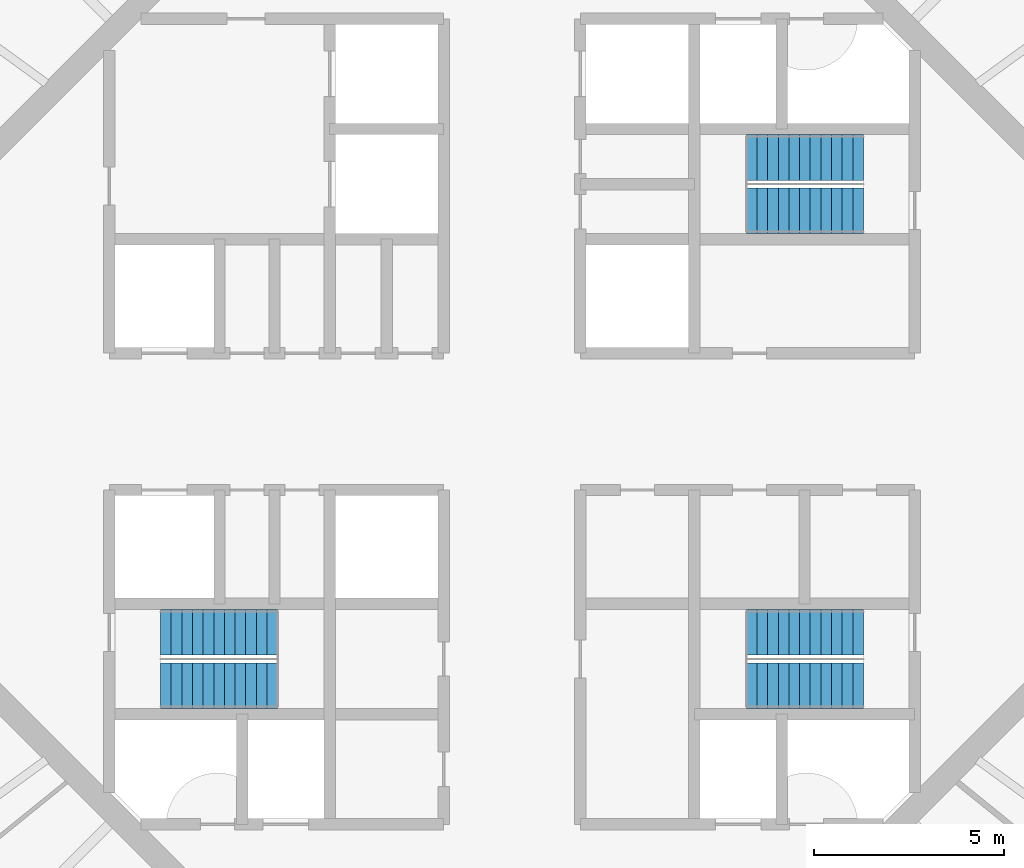
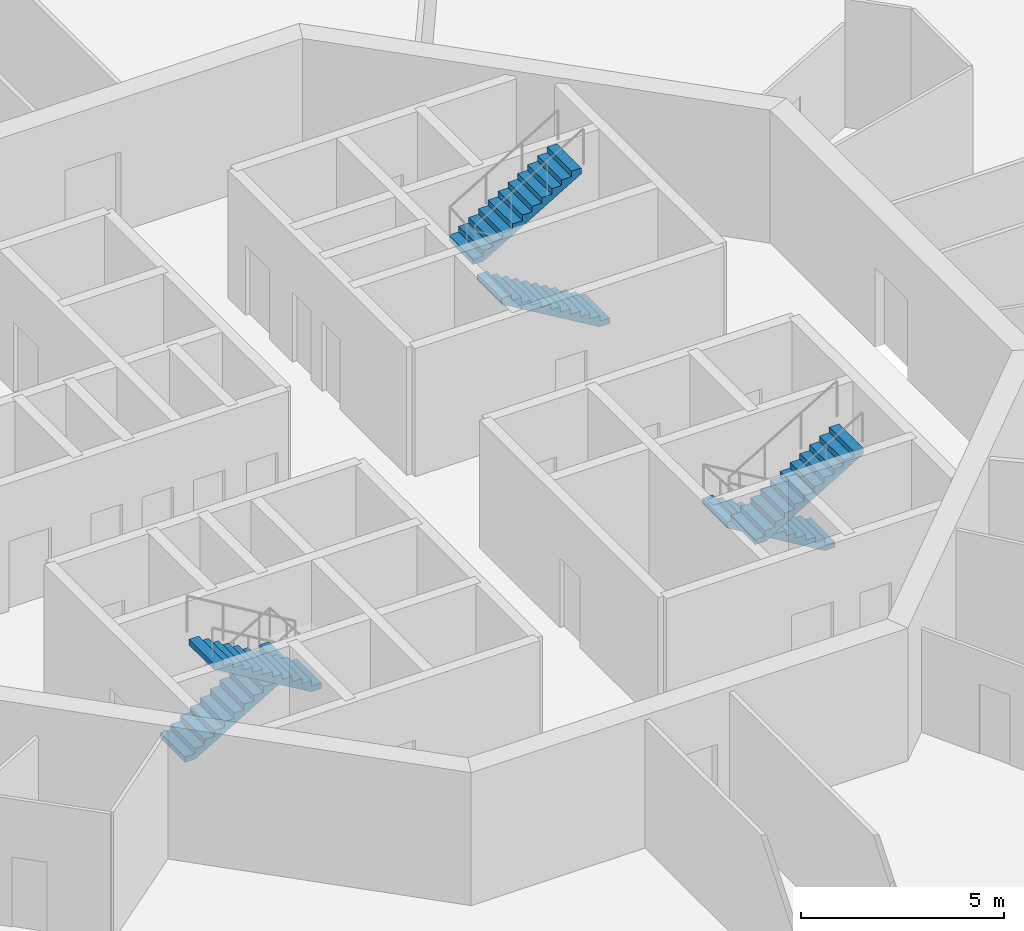
# One storey, part 6 of 13: 6 stair flights, 3 elements without a shape of their own.
"""IFC4 building model written with IfcOpenShell, lengths in metres."""

from ifc_helpers import new_model, si_unit, direction, frame, origin, place, context, subcontext, project, spatial, polyline, outline, extrude, material, type_object, element, aggregate, save


model = new_model("IFC4")

# Units and contexts
model_context = context("Model", 3, precision=1e-05, world=origin(), true_north=direction((0.0, 1.0)))
body_context = subcontext(model_context, "Body", "Model", "MODEL_VIEW")
ifc_project = project(units=[si_unit("LENGTHUNIT", "METRE"), si_unit("AREAUNIT", "SQUARE_METRE"), si_unit("VOLUMEUNIT", "CUBIC_METRE"), si_unit("PLANEANGLEUNIT", "RADIAN"), si_unit("MASSUNIT", "GRAM", prefix="KILO")], contexts=[model_context])

# Site, building, storey
site_placement = place(None, origin())
site = spatial("IfcSite", under=ifc_project, at=site_placement, CompositionType="ELEMENT")
building_placement = place(site_placement, origin())
building = spatial("IfcBuilding", under=site, at=building_placement, Name="Entoto Ring Tower", CompositionType="ELEMENT")
storey_placement = place(building_placement, frame((0.0, 0.0, 348.0)))
storey = spatial("IfcBuildingStorey", under=building, at=storey_placement, Name="L80", CompositionType="ELEMENT", Elevation=348.0)

# Stair, stair flights
ifc_material_1 = material(Name="Concrete C40/50", Category="concrete")
stair_type = type_object("IfcStairType", Name="Exit stair 1200 mm dog-leg reinforced concrete", PredefinedType="HALF_TURN_STAIR", material=ifc_material_1)
stair_1_placement = place(storey_placement, origin())
stair_1 = element("IfcStair", 1, at=stair_1_placement, inside=storey, type_object=stair_type, Name="Exit stair 1", PredefinedType="HALF_TURN_STAIR")
ifc_material_2 = material(Name="Concrete C40/50", Category="concrete")
stair_flight_type = type_object("IfcStairFlightType", Name="Stair flight 1200 mm reinforced concrete", PredefinedType="STRAIGHT", material=ifc_material_2)
stair_flight_1_placement = place(storey_placement, frame((99.25, 85.550048828125, 0.0), z_axis=(0.0, 0.0, 1.0), x_axis=(-1.0, 0.0, 0.0)))
stair_flight_1 = element("IfcStairFlight", 2, at=stair_flight_1_placement, type_object=stair_flight_type, Name="ST1 flight 1", NumberOfRisers=12, NumberOfTreads=11, PredefinedType="STRAIGHT", RiserHeight=0.166666667, TreadLength=0.28, context=body_context, shape_type="SweptSolid", body=[
    extrude(outline(polyline([(0.0, 0.0), (0.0, 0.166748046875), (0.280029296875, 0.166748046875), (0.280029296875, 0.333251953125), (0.56005859375, 0.333251953125), (0.56005859375, 0.5), (0.840087890625, 0.5), (0.840087890625, 0.666748046875), (1.1201171875, 0.666748046875), (1.1201171875, 0.833251953125), (1.39990234375, 0.833251953125), (1.39990234375, 1.0), (1.679931640625, 1.0), (1.679931640625, 1.166748046875), (1.9599609375, 1.166748046875), (1.9599609375, 1.333251953125), (2.239990234375, 1.333251953125), (2.239990234375, 1.5), (2.52001953125, 1.5), (2.52001953125, 1.666748046875), (2.800048828125, 1.666748046875), (2.800048828125, 1.833251953125), (3.080078125, 1.833251953125), (3.080078125, 2.0), (3.080078125, 1.658935546875), (0.29296875, 0.0), (0.0, 0.0)])), frame((0.0, 0.60009765625, 0.0), z_axis=(0.0, -1.0, 0.0), x_axis=(1.0, 0.0, 0.0)), (0.0, 0.0, 1.0), 1.199951171875),
])
stair_flight_2_placement = place(storey_placement, frame((96.169921875, 86.949951171875, 2.0), z_axis=(0.0, 0.0, 1.0), x_axis=(1.0, 0.0, 0.0)))
stair_flight_2 = element("IfcStairFlight", 3, at=stair_flight_2_placement, type_object=stair_flight_type, Name="ST1 flight 2", NumberOfRisers=12, NumberOfTreads=11, PredefinedType="STRAIGHT", RiserHeight=0.166666667, TreadLength=0.28, context=body_context, shape_type="SweptSolid", body=[
    extrude(outline(polyline([(0.0, 0.0), (0.0, 0.166748046875), (0.280029296875, 0.166748046875), (0.280029296875, 0.333251953125), (0.56005859375, 0.333251953125), (0.56005859375, 0.5), (0.840087890625, 0.5), (0.840087890625, 0.666748046875), (1.1201171875, 0.666748046875), (1.1201171875, 0.833251953125), (1.39990234375, 0.833251953125), (1.39990234375, 1.0), (1.679931640625, 1.0), (1.679931640625, 1.166748046875), (1.9599609375, 1.166748046875), (1.9599609375, 1.333251953125), (2.239990234375, 1.333251953125), (2.239990234375, 1.5), (2.52001953125, 1.5), (2.52001953125, 1.666748046875), (2.800048828125, 1.666748046875), (2.800048828125, 1.833251953125), (3.080078125, 1.833251953125), (3.080078125, 2.0), (3.080078125, 1.658935546875), (0.29296875, 0.0), (0.0, 0.0)])), frame((0.0, 0.60009765625, 0.0), z_axis=(0.0, -1.0, 0.0), x_axis=(1.0, 0.0, 0.0)), (0.0, 0.0, 1.0), 1.199951171875),
])
aggregate(stair_1, [stair_flight_1, stair_flight_2])

stair_2_placement = place(storey_placement, origin())
stair_2 = element("IfcStair", 4, at=stair_2_placement, inside=storey, type_object=stair_type, Name="Exit stair 2", PredefinedType="HALF_TURN_STAIR")
stair_flight_3_placement = place(storey_placement, frame((80.75, 74.449951171875, 0.0), z_axis=(0.0, 0.0, 1.0), x_axis=(1.0, 0.0, 0.0)))
stair_flight_3 = element("IfcStairFlight", 5, at=stair_flight_3_placement, type_object=stair_flight_type, Name="ST2 flight 1", NumberOfRisers=12, NumberOfTreads=11, PredefinedType="STRAIGHT", RiserHeight=0.166666667, TreadLength=0.28, context=body_context, shape_type="SweptSolid", body=[
    extrude(outline(polyline([(0.0, 0.0), (0.0, 0.166748046875), (0.280029296875, 0.166748046875), (0.280029296875, 0.333251953125), (0.56005859375, 0.333251953125), (0.56005859375, 0.5), (0.840087890625, 0.5), (0.840087890625, 0.666748046875), (1.1201171875, 0.666748046875), (1.1201171875, 0.833251953125), (1.39990234375, 0.833251953125), (1.39990234375, 1.0), (1.679931640625, 1.0), (1.679931640625, 1.166748046875), (1.9599609375, 1.166748046875), (1.9599609375, 1.333251953125), (2.239990234375, 1.333251953125), (2.239990234375, 1.5), (2.52001953125, 1.5), (2.52001953125, 1.666748046875), (2.800048828125, 1.666748046875), (2.800048828125, 1.833251953125), (3.080078125, 1.833251953125), (3.080078125, 2.0), (3.080078125, 1.658935546875), (0.29296875, 0.0), (0.0, 0.0)])), frame((0.0, 0.60009765625, 0.0), z_axis=(0.0, -1.0, 0.0), x_axis=(1.0, 0.0, 0.0)), (0.0, 0.0, 1.0), 1.199951171875),
])
stair_flight_4_placement = place(storey_placement, frame((83.830078125, 73.050048828125, 2.0), z_axis=(0.0, 0.0, 1.0), x_axis=(-1.0, 0.0, 0.0)))
stair_flight_4 = element("IfcStairFlight", 6, at=stair_flight_4_placement, type_object=stair_flight_type, Name="ST2 flight 2", NumberOfRisers=12, NumberOfTreads=11, PredefinedType="STRAIGHT", RiserHeight=0.166666667, TreadLength=0.28, context=body_context, shape_type="SweptSolid", body=[
    extrude(outline(polyline([(0.0, 0.0), (0.0, 0.166748046875), (0.280029296875, 0.166748046875), (0.280029296875, 0.333251953125), (0.56005859375, 0.333251953125), (0.56005859375, 0.5), (0.840087890625, 0.5), (0.840087890625, 0.666748046875), (1.1201171875, 0.666748046875), (1.1201171875, 0.833251953125), (1.39990234375, 0.833251953125), (1.39990234375, 1.0), (1.679931640625, 1.0), (1.679931640625, 1.166748046875), (1.9599609375, 1.166748046875), (1.9599609375, 1.333251953125), (2.239990234375, 1.333251953125), (2.239990234375, 1.5), (2.52001953125, 1.5), (2.52001953125, 1.666748046875), (2.800048828125, 1.666748046875), (2.800048828125, 1.833251953125), (3.080078125, 1.833251953125), (3.080078125, 2.0), (3.080078125, 1.658935546875), (0.29296875, 0.0), (0.0, 0.0)])), frame((0.0, 0.60009765625, 0.0), z_axis=(0.0, -1.0, 0.0), x_axis=(1.0, 0.0, 0.0)), (0.0, 0.0, 1.0), 1.199951171875),
])
aggregate(stair_2, [stair_flight_3, stair_flight_4])

stair_3_placement = place(storey_placement, origin())
stair_3 = element("IfcStair", 7, at=stair_3_placement, inside=storey, type_object=stair_type, Name="Exit stair 3", PredefinedType="HALF_TURN_STAIR")
stair_flight_5_placement = place(storey_placement, frame((99.25, 74.449951171875, 0.0), z_axis=(0.0, 0.0, 1.0), x_axis=(-1.0, 0.0, 0.0)))
stair_flight_5 = element("IfcStairFlight", 8, at=stair_flight_5_placement, type_object=stair_flight_type, Name="ST3 flight 1", NumberOfRisers=12, NumberOfTreads=11, PredefinedType="STRAIGHT", RiserHeight=0.166666667, TreadLength=0.28, context=body_context, shape_type="SweptSolid", body=[
    extrude(outline(polyline([(0.0, 0.0), (0.0, 0.166748046875), (0.280029296875, 0.166748046875), (0.280029296875, 0.333251953125), (0.56005859375, 0.333251953125), (0.56005859375, 0.5), (0.840087890625, 0.5), (0.840087890625, 0.666748046875), (1.1201171875, 0.666748046875), (1.1201171875, 0.833251953125), (1.39990234375, 0.833251953125), (1.39990234375, 1.0), (1.679931640625, 1.0), (1.679931640625, 1.166748046875), (1.9599609375, 1.166748046875), (1.9599609375, 1.333251953125), (2.239990234375, 1.333251953125), (2.239990234375, 1.5), (2.52001953125, 1.5), (2.52001953125, 1.666748046875), (2.800048828125, 1.666748046875), (2.800048828125, 1.833251953125), (3.080078125, 1.833251953125), (3.080078125, 2.0), (3.080078125, 1.658935546875), (0.29296875, 0.0), (0.0, 0.0)])), frame((0.0, 0.60009765625, 0.0), z_axis=(0.0, -1.0, 0.0), x_axis=(1.0, 0.0, 0.0)), (0.0, 0.0, 1.0), 1.199951171875),
])
stair_flight_6_placement = place(storey_placement, frame((96.169921875, 73.050048828125, 2.0), z_axis=(0.0, 0.0, 1.0), x_axis=(1.0, 0.0, 0.0)))
stair_flight_6 = element("IfcStairFlight", 9, at=stair_flight_6_placement, type_object=stair_flight_type, Name="ST3 flight 2", NumberOfRisers=12, NumberOfTreads=11, PredefinedType="STRAIGHT", RiserHeight=0.166666667, TreadLength=0.28, context=body_context, shape_type="SweptSolid", body=[
    extrude(outline(polyline([(0.0, 0.0), (0.0, 0.166748046875), (0.280029296875, 0.166748046875), (0.280029296875, 0.333251953125), (0.56005859375, 0.333251953125), (0.56005859375, 0.5), (0.840087890625, 0.5), (0.840087890625, 0.666748046875), (1.1201171875, 0.666748046875), (1.1201171875, 0.833251953125), (1.39990234375, 0.833251953125), (1.39990234375, 1.0), (1.679931640625, 1.0), (1.679931640625, 1.166748046875), (1.9599609375, 1.166748046875), (1.9599609375, 1.333251953125), (2.239990234375, 1.333251953125), (2.239990234375, 1.5), (2.52001953125, 1.5), (2.52001953125, 1.666748046875), (2.800048828125, 1.666748046875), (2.800048828125, 1.833251953125), (3.080078125, 1.833251953125), (3.080078125, 2.0), (3.080078125, 1.658935546875), (0.29296875, 0.0), (0.0, 0.0)])), frame((0.0, 0.60009765625, 0.0), z_axis=(0.0, -1.0, 0.0), x_axis=(1.0, 0.0, 0.0)), (0.0, 0.0, 1.0), 1.199951171875),
])
aggregate(stair_3, [stair_flight_5, stair_flight_6])

save(model, "model.ifc")
